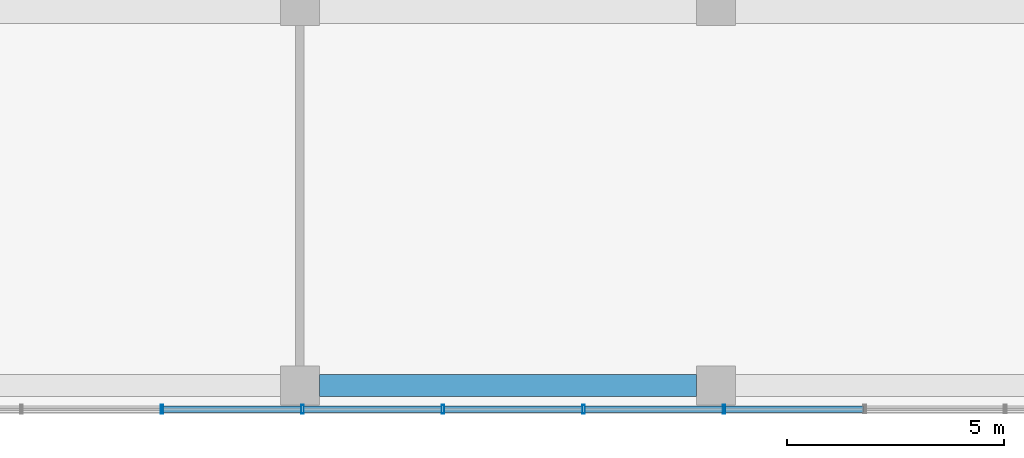
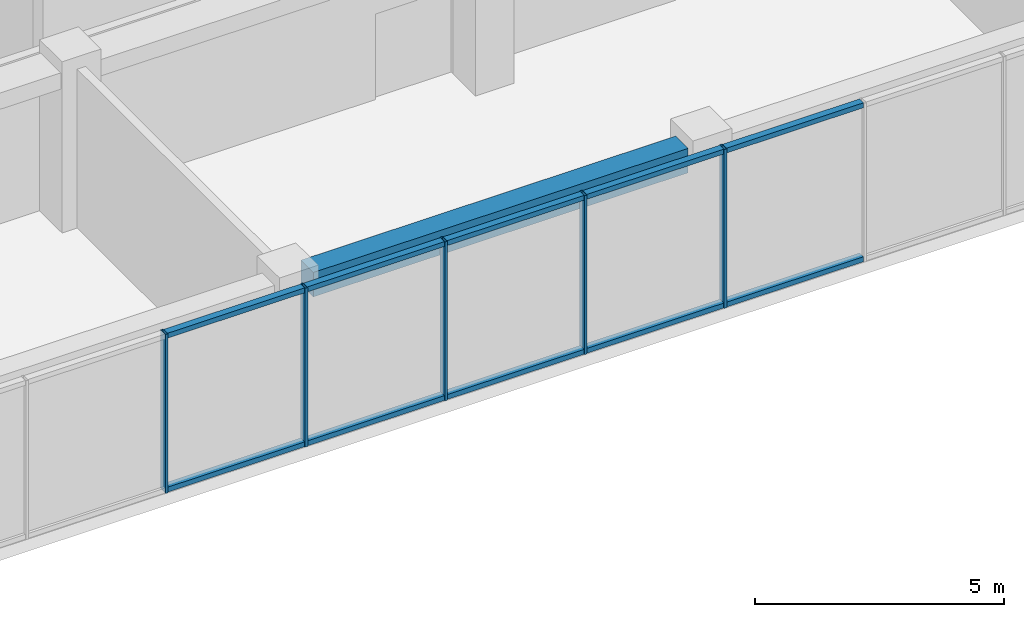
# One storey, part 4 of 37: 15 members, 1 beam, 1 element without a shape of its own.
"""IFC4 building model written with IfcOpenShell, lengths in metres."""

from ifc_helpers import new_model, si_unit, direction, frame, origin, origin_2d, place, context, subcontext, project, spatial, rectangle, hollow_rectangle, extrude, material, layer, layer_set, material_profile, profile_set, type_object, element, aggregate, save


model = new_model("IFC4")

# Units and contexts
model_context = context("Model", 3, precision=1e-05, world=origin(), true_north=direction((0.0, 1.0)))
body_context = subcontext(model_context, "Body", "Model", "MODEL_VIEW")
ifc_project = project(units=[si_unit("LENGTHUNIT", "METRE"), si_unit("AREAUNIT", "SQUARE_METRE"), si_unit("VOLUMEUNIT", "CUBIC_METRE"), si_unit("PLANEANGLEUNIT", "RADIAN"), si_unit("MASSUNIT", "GRAM", prefix="KILO")], contexts=[model_context])

# Site, building, storey
site_placement = place(None, origin())
site = spatial("IfcSite", under=ifc_project, at=site_placement, CompositionType="ELEMENT")
building_placement = place(site_placement, origin())
building = spatial("IfcBuilding", under=site, at=building_placement, Name="Nzadi Deep Aquarium and Research Tower", CompositionType="ELEMENT")
storey_placement = place(building_placement, frame((0.0, 0.0, 57.10009765625)))
storey = spatial("IfcBuildingStorey", under=building, at=storey_placement, Name="L11", CompositionType="ELEMENT", Elevation=57.10009765625)

# Curtain wall, members
ifc_material_1 = material(Name="Aluminium unitised frame", Category="aluminium")
ifc_layer = layer(ifc_material_1, 0.199951171875)
ifc_layer_set = layer_set([ifc_layer], Name="Aluminium unitised frame")
curtain_wall_type = type_object("IfcCurtainWallType", Name="Curtain wall Unitised 200", PredefinedType="NOTDEFINED", material=ifc_layer_set)
curtain_wall_placement = place(storey_placement, origin())
curtain_wall = element("IfcCurtainWall", 1, at=curtain_wall_placement, inside=storey, type_object=curtain_wall_type, Name="Unitised curtain wall blade A south L11", PredefinedType="NOTDEFINED")
ifc_material_2 = material(Name="Aluminium unitised frame", Category="aluminium")
ifc_material_profile_1 = material_profile(ifc_material_2, hollow_rectangle(XDim=0.199951171875, YDim=0.06005859375, WallThickness=0.0048828125, at=origin_2d()))
ifc_profile_set_1 = profile_set([ifc_material_profile_1], Name="Aluminium unitised frame")
member_type_1 = type_object("IfcMemberType", Name="Mullion 60x200 Unitised", PredefinedType="MULLION", material=ifc_profile_set_1)
member_1_placement = place(storey_placement, frame((16.0166015625, -0.10009765625, 0.0), z_axis=(0.0, 0.0, 1.0), x_axis=(0.0, 1.0, 0.0)))
member_1 = element("IfcMember", 2, at=member_1_placement, type_object=member_type_1, Name="CW043 mullion 6", PredefinedType="MULLION", context=body_context, shape_type="SweptSolid", body=[
    extrude(hollow_rectangle(XDim=0.199951171875, YDim=0.06005859375, WallThickness=0.0048828125, at=origin_2d()), origin(), (0.0, 0.0, 1.0), 3.89990234375),
])
member_2_placement = place(storey_placement, frame((19.260009765625, -0.10009765625, 0.0), z_axis=(0.0, 0.0, 1.0), x_axis=(0.0, 1.0, 0.0)))
member_2 = element("IfcMember", 3, at=member_2_placement, type_object=member_type_1, Name="CW043 mullion 7", PredefinedType="MULLION", context=body_context, shape_type="SweptSolid", body=[
    extrude(hollow_rectangle(XDim=0.199951171875, YDim=0.06005859375, WallThickness=0.0048828125, at=origin_2d()), origin(), (0.0, 0.0, 1.0), 3.89990234375),
])
member_3_placement = place(storey_placement, frame((22.50341796875, -0.10009765625, 0.0), z_axis=(0.0, 0.0, 1.0), x_axis=(0.0, 1.0, 0.0)))
member_3 = element("IfcMember", 4, at=member_3_placement, type_object=member_type_1, Name="CW043 mullion 8", PredefinedType="MULLION", context=body_context, shape_type="SweptSolid", body=[
    extrude(hollow_rectangle(XDim=0.199951171875, YDim=0.06005859375, WallThickness=0.0048828125, at=origin_2d()), origin(), (0.0, 0.0, 1.0), 3.89990234375),
])
member_4_placement = place(storey_placement, frame((25.74658203125, -0.10009765625, 0.0), z_axis=(0.0, 0.0, 1.0), x_axis=(0.0, 1.0, 0.0)))
member_4 = element("IfcMember", 5, at=member_4_placement, type_object=member_type_1, Name="CW043 mullion 9", PredefinedType="MULLION", context=body_context, shape_type="SweptSolid", body=[
    extrude(hollow_rectangle(XDim=0.199951171875, YDim=0.06005859375, WallThickness=0.0048828125, at=origin_2d()), origin(), (0.0, 0.0, 1.0), 3.89990234375),
])
member_5_placement = place(storey_placement, frame((28.989990234375, -0.10009765625, 0.0), z_axis=(0.0, 0.0, 1.0), x_axis=(0.0, 1.0, 0.0)))
member_5 = element("IfcMember", 6, at=member_5_placement, type_object=member_type_1, Name="CW043 mullion 10", PredefinedType="MULLION", context=body_context, shape_type="SweptSolid", body=[
    extrude(hollow_rectangle(XDim=0.199951171875, YDim=0.06005859375, WallThickness=0.0048828125, at=origin_2d()), origin(), (0.0, 0.0, 1.0), 3.89990234375),
])

# Beam
ifc_material_3 = material(Name="Concrete C35/45", Category="concrete")
ifc_material_profile_2 = material_profile(ifc_material_3, rectangle(XDim=0.5, YDim=0.60009765625, at=origin_2d()))
ifc_profile_set_2 = profile_set([ifc_material_profile_2], Name="Concrete C35/45")
beam_type = type_object("IfcBeamType", Name="RC 500x600", PredefinedType="BEAM", material=ifc_profile_set_2)
beam_placement = place(storey_placement, frame((19.64990234375, 0.449951171875, 3.599853515625), z_axis=(1.0, 0.0, 0.0), x_axis=(0.0, 1.0, 0.0)))
element("IfcBeam", 7, at=beam_placement, inside=storey, type_object=beam_type, Name="B-Z1-L11-L1-3", PredefinedType="BEAM", context=body_context, shape_type="SweptSolid", body=[
    extrude(rectangle(XDim=0.5, YDim=0.60009765625, at=origin_2d()), origin(), (0.0, 0.0, 1.0), 8.7001953125),
])

# Member
ifc_material_4 = material(Name="Aluminium unitised frame", Category="aluminium")
ifc_material_profile_3 = material_profile(ifc_material_4, hollow_rectangle(XDim=0.159912109375, YDim=0.1201171875, WallThickness=0.0048828125, at=origin_2d()))
ifc_profile_set_3 = profile_set([ifc_material_profile_3], Name="Aluminium unitised frame")
member_type_2 = type_object("IfcMemberType", Name="Transom 120x160 Unitised", PredefinedType="MULLION", material=ifc_profile_set_3)
member_6_placement = place(storey_placement, frame((16.046630859375, -0.10009765625, 0.059814453125), z_axis=(1.0, 0.0, 0.0), x_axis=(0.0, 1.0, 0.0)))
member_6 = element("IfcMember", 8, at=member_6_placement, type_object=member_type_2, Name="CW043 transom 6.1", PredefinedType="MULLION", context=body_context, shape_type="SweptSolid", body=[
    extrude(hollow_rectangle(XDim=0.159912109375, YDim=0.1201171875, WallThickness=0.0048828125, at=origin_2d()), origin(), (0.0, 0.0, 1.0), 3.183349609375),
])

member_7_placement = place(storey_placement, frame((16.046630859375, -0.10009765625, 3.83984375), z_axis=(1.0, 0.0, 0.0), x_axis=(0.0, 1.0, 0.0)))
member_7 = element("IfcMember", 9, at=member_7_placement, type_object=member_type_2, Name="CW043 transom 6.2", PredefinedType="MULLION", context=body_context, shape_type="SweptSolid", body=[
    extrude(hollow_rectangle(XDim=0.159912109375, YDim=0.1201171875, WallThickness=0.0048828125, at=origin_2d()), origin(), (0.0, 0.0, 1.0), 3.183349609375),
])

member_8_placement = place(storey_placement, frame((19.2900390625, -0.10009765625, 0.059814453125), z_axis=(1.0, 0.0, 0.0), x_axis=(0.0, 1.0, 0.0)))
member_8 = element("IfcMember", 10, at=member_8_placement, type_object=member_type_2, Name="CW043 transom 7.1", PredefinedType="MULLION", context=body_context, shape_type="SweptSolid", body=[
    extrude(hollow_rectangle(XDim=0.159912109375, YDim=0.1201171875, WallThickness=0.0048828125, at=origin_2d()), origin(), (0.0, 0.0, 1.0), 3.183349609375),
])

member_9_placement = place(storey_placement, frame((19.2900390625, -0.10009765625, 3.83984375), z_axis=(1.0, 0.0, 0.0), x_axis=(0.0, 1.0, 0.0)))
member_9 = element("IfcMember", 11, at=member_9_placement, type_object=member_type_2, Name="CW043 transom 7.2", PredefinedType="MULLION", context=body_context, shape_type="SweptSolid", body=[
    extrude(hollow_rectangle(XDim=0.159912109375, YDim=0.1201171875, WallThickness=0.0048828125, at=origin_2d()), origin(), (0.0, 0.0, 1.0), 3.183349609375),
])

member_10_placement = place(storey_placement, frame((22.533447265625, -0.10009765625, 0.059814453125), z_axis=(1.0, 0.0, 0.0), x_axis=(0.0, 1.0, 0.0)))
member_10 = element("IfcMember", 12, at=member_10_placement, type_object=member_type_2, Name="CW043 transom 8.1", PredefinedType="MULLION", context=body_context, shape_type="SweptSolid", body=[
    extrude(hollow_rectangle(XDim=0.159912109375, YDim=0.1201171875, WallThickness=0.0048828125, at=origin_2d()), origin(), (0.0, 0.0, 1.0), 3.18310546875),
])

member_11_placement = place(storey_placement, frame((22.533447265625, -0.10009765625, 3.83984375), z_axis=(1.0, 0.0, 0.0), x_axis=(0.0, 1.0, 0.0)))
member_11 = element("IfcMember", 13, at=member_11_placement, type_object=member_type_2, Name="CW043 transom 8.2", PredefinedType="MULLION", context=body_context, shape_type="SweptSolid", body=[
    extrude(hollow_rectangle(XDim=0.159912109375, YDim=0.1201171875, WallThickness=0.0048828125, at=origin_2d()), origin(), (0.0, 0.0, 1.0), 3.18310546875),
])

member_12_placement = place(storey_placement, frame((25.776611328125, -0.10009765625, 0.059814453125), z_axis=(1.0, 0.0, 0.0), x_axis=(0.0, 1.0, 0.0)))
member_12 = element("IfcMember", 14, at=member_12_placement, type_object=member_type_2, Name="CW043 transom 9.1", PredefinedType="MULLION", context=body_context, shape_type="SweptSolid", body=[
    extrude(hollow_rectangle(XDim=0.159912109375, YDim=0.1201171875, WallThickness=0.0048828125, at=origin_2d()), origin(), (0.0, 0.0, 1.0), 3.183349609375),
])

member_13_placement = place(storey_placement, frame((25.776611328125, -0.10009765625, 3.83984375), z_axis=(1.0, 0.0, 0.0), x_axis=(0.0, 1.0, 0.0)))
member_13 = element("IfcMember", 15, at=member_13_placement, type_object=member_type_2, Name="CW043 transom 9.2", PredefinedType="MULLION", context=body_context, shape_type="SweptSolid", body=[
    extrude(hollow_rectangle(XDim=0.159912109375, YDim=0.1201171875, WallThickness=0.0048828125, at=origin_2d()), origin(), (0.0, 0.0, 1.0), 3.183349609375),
])

member_14_placement = place(storey_placement, frame((29.02001953125, -0.10009765625, 0.059814453125), z_axis=(1.0, 0.0, 0.0), x_axis=(0.0, 1.0, 0.0)))
member_14 = element("IfcMember", 16, at=member_14_placement, type_object=member_type_2, Name="CW043 transom 10.1", PredefinedType="MULLION", context=body_context, shape_type="SweptSolid", body=[
    extrude(hollow_rectangle(XDim=0.159912109375, YDim=0.1201171875, WallThickness=0.0048828125, at=origin_2d()), origin(), (0.0, 0.0, 1.0), 3.183349609375),
])

member_15_placement = place(storey_placement, frame((29.02001953125, -0.10009765625, 3.83984375), z_axis=(1.0, 0.0, 0.0), x_axis=(0.0, 1.0, 0.0)))
member_15 = element("IfcMember", 17, at=member_15_placement, type_object=member_type_2, Name="CW043 transom 10.2", PredefinedType="MULLION", context=body_context, shape_type="SweptSolid", body=[
    extrude(hollow_rectangle(XDim=0.159912109375, YDim=0.1201171875, WallThickness=0.0048828125, at=origin_2d()), origin(), (0.0, 0.0, 1.0), 3.183349609375),
])

aggregate(curtain_wall, [member_1, member_2, member_3, member_4, member_5, member_6, member_7, member_8, member_9, member_10, member_11, member_12, member_13, member_14, member_15])

save(model, "model.ifc")
